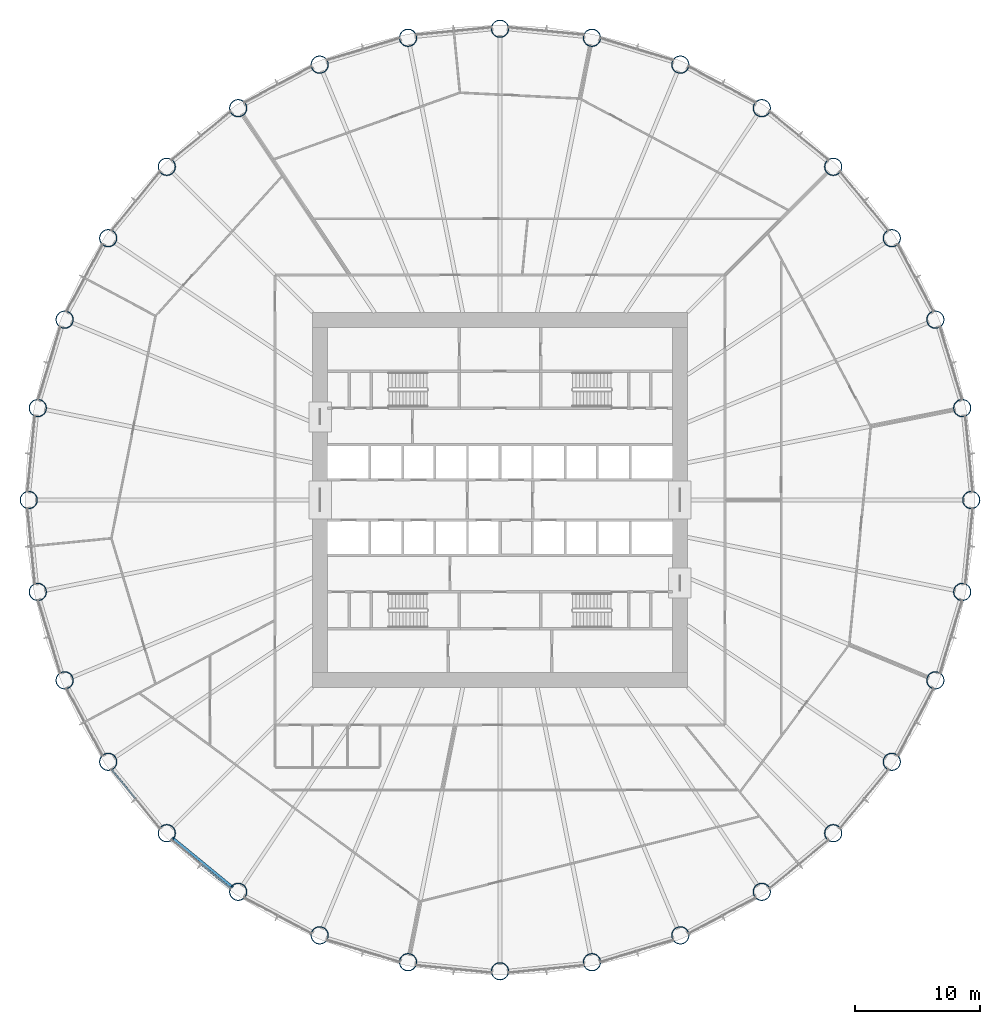
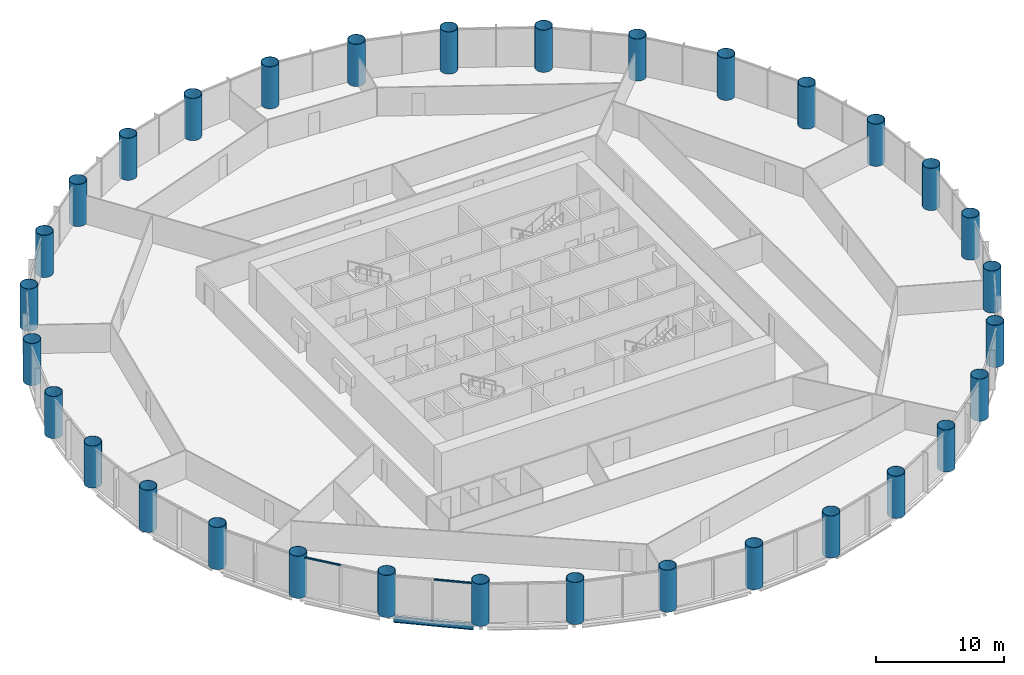
# One storey, part 1 of 15: 32 columns, 2 members, 1 beam, 2 elements without a shape of their own.
"""IFC4 building model written with IfcOpenShell, lengths in metres."""

from ifc_helpers import new_model, si_unit, direction, frame, origin, origin_2d, place, context, subcontext, project, spatial, rectangle, hollow_circle, i_section, extrude, material, material_profile, profile_set, type_object, element, aggregate, save


model = new_model("IFC4")

# Units and contexts
model_context = context("Model", 3, precision=1e-05, world=origin(), true_north=direction((0.0, 1.0)))
body_context = subcontext(model_context, "Body", "Model", "MODEL_VIEW")
ifc_project = project(units=[si_unit("LENGTHUNIT", "METRE"), si_unit("AREAUNIT", "SQUARE_METRE"), si_unit("VOLUMEUNIT", "CUBIC_METRE"), si_unit("PLANEANGLEUNIT", "RADIAN"), si_unit("MASSUNIT", "GRAM", prefix="KILO")], contexts=[model_context])

# Site, building, storey
site_placement = place(None, origin())
site = spatial("IfcSite", under=ifc_project, at=site_placement, CompositionType="ELEMENT")
building_placement = place(site_placement, origin())
building = spatial("IfcBuilding", under=site, at=building_placement, Name="Corvane Civic Tower", CompositionType="ELEMENT")
storey_placement = place(building_placement, frame((0.0, 0.0, 45.0)))
storey = spatial("IfcBuildingStorey", under=building, at=storey_placement, Name="L09", CompositionType="ELEMENT", Elevation=45.0)

# Columns
ifc_material_1 = material(Name="Steel ASTM A572 Gr 50", Category="steel")
ifc_material_profile_1 = material_profile(ifc_material_1, hollow_circle(Radius=0.699951171875, WallThickness=0.0400390625, at=origin_2d()), Name="CHS1400X40")
ifc_profile_set_1 = profile_set([ifc_material_profile_1], Name="Steel ASTM A572 Gr 50")
column_type = type_object("IfcColumnType", Name="COMPOSITE COLUMN CHS1400X40", PredefinedType="COLUMN", material=ifc_profile_set_1)
for number, where, z_axis, x_axis, name in (
    (1, (0.0, 37.699951171875, 0.0), (0.0, 0.0, 1.0), (1.0, 0.0, 0.0), "COL-L09-A01"),
    (2, (7.35498046875, 36.9755859375, 0.0), (0.0, 0.0, 1.0), (1.0, 0.0, 0.0), "COL-L09-A02"),
    (3, (14.42724609375, 34.830322265625, 0.0), (0.0, 0.0, 1.0), (1.0, 0.0, 0.0), "COL-L09-A03"),
    (4, (20.945068359375, 31.346435546875, 0.0), (0.0, 0.0, 1.0), (1.0, 0.0, 0.0), "COL-L09-A04"),
    (5, (26.657958984375, 26.657958984375, 0.0), (0.0, 0.0, 1.0), (1.0, 0.0, 0.0), "COL-L09-A05"),
    (6, (31.346435546875, 20.945068359375, 0.0), (0.0, 0.0, 1.0), (1.0, 0.0, 0.0), "COL-L09-A06"),
    (7, (34.830322265625, 14.42724609375, 0.0), (0.0, 0.0, 1.0), (1.0, 0.0, 0.0), "COL-L09-A07"),
    (8, (36.9755859375, 7.35498046875, 0.0), (0.0, 0.0, 1.0), (1.0, 0.0, 0.0), "COL-L09-A08"),
    (9, (37.699951171875, 0.0, 0.0), (0.0, 0.0, 1.0), (1.0, 0.0, 0.0), "COL-L09-A09"),
    (10, (36.9755859375, -7.35498046875, 0.0), (0.0, 0.0, 1.0), (1.0, 0.0, 0.0), "COL-L09-A10"),
    (11, (34.830322265625, -14.42724609375, 0.0), (0.0, 0.0, 1.0), (1.0, 0.0, 0.0), "COL-L09-A11"),
    (12, (31.346435546875, -20.945068359375, 0.0), (0.0, 0.0, 1.0), (1.0, 0.0, 0.0), "COL-L09-A12"),
    (13, (26.657958984375, -26.657958984375, 0.0), (0.0, 0.0, 1.0), (1.0, 0.0, 0.0), "COL-L09-A13"),
    (14, (20.945068359375, -31.346435546875, 0.0), (0.0, 0.0, 1.0), (1.0, 0.0, 0.0), "COL-L09-A14"),
    (15, (14.42724609375, -34.830322265625, 0.0), (0.0, 0.0, 1.0), (1.0, 0.0, 0.0), "COL-L09-A15"),
    (16, (7.35498046875, -36.9755859375, 0.0), (0.0, 0.0, 1.0), (1.0, 0.0, 0.0), "COL-L09-A16"),
    (17, (0.0, -37.699951171875, 0.0), (0.0, 0.0, 1.0), (1.0, 0.0, 0.0), "COL-L09-A17"),
    (18, (-7.35498046875, -36.9755859375, 0.0), (0.0, 0.0, 1.0), (1.0, 0.0, 0.0), "COL-L09-A18"),
    (19, (-14.42724609375, -34.830322265625, 0.0), (0.0, 0.0, 1.0), (1.0, 0.0, 0.0), "COL-L09-A19"),
    (20, (-20.945068359375, -31.346435546875, 0.0), (0.0, 0.0, 1.0), (1.0, 0.0, 0.0), "COL-L09-A20"),
    (21, (-26.657958984375, -26.657958984375, 0.0), (0.0, 0.0, 1.0), (1.0, 0.0, 0.0), "COL-L09-A21"),
    (22, (-31.346435546875, -20.945068359375, 0.0), (0.0, 0.0, 1.0), (1.0, 0.0, 0.0), "COL-L09-A22"),
    (23, (-34.830322265625, -14.42724609375, 0.0), (0.0, 0.0, 1.0), (1.0, 0.0, 0.0), "COL-L09-A23"),
    (24, (-36.9755859375, -7.35498046875, 0.0), (0.0, 0.0, 1.0), (1.0, 0.0, 0.0), "COL-L09-A24"),
    (25, (-37.699951171875, 0.0, 0.0), (0.0, 0.0, 1.0), (1.0, 0.0, 0.0), "COL-L09-A25"),
    (26, (-36.9755859375, 7.35498046875, 0.0), (0.0, 0.0, 1.0), (1.0, 0.0, 0.0), "COL-L09-A26"),
    (27, (-34.830322265625, 14.42724609375, 0.0), (0.0, 0.0, 1.0), (1.0, 0.0, 0.0), "COL-L09-A27"),
    (28, (-31.346435546875, 20.945068359375, 0.0), (0.0, 0.0, 1.0), (1.0, 0.0, 0.0), "COL-L09-A28"),
    (29, (-26.657958984375, 26.657958984375, 0.0), (0.0, 0.0, 1.0), (1.0, 0.0, 0.0), "COL-L09-A29"),
    (30, (-20.945068359375, 31.346435546875, 0.0), (0.0, 0.0, 1.0), (1.0, 0.0, 0.0), "COL-L09-A30"),
    (31, (-14.42724609375, 34.830322265625, 0.0), (0.0, 0.0, 1.0), (1.0, 0.0, 0.0), "COL-L09-A31"),
    (32, (-7.35498046875, 36.9755859375, 0.0), (0.0, 0.0, 1.0), (1.0, 0.0, 0.0), "COL-L09-A32"),
):
    element("IfcColumn", number, at=place(storey_placement, frame(where, z_axis=z_axis, x_axis=x_axis)), inside=storey, type_object=column_type, Name=name, PredefinedType="COLUMN", context=body_context, shape_type="SweptSolid", body=[
        extrude(hollow_circle(Radius=0.699951171875, WallThickness=0.0400390625, at=origin_2d()), origin(), (0.0, 0.0, 1.0), 4.0),
    ])

# Beam
ifc_material_2 = material(Name="Steel ASTM A992 Gr 50", Category="steel")
ifc_material_profile_2 = material_profile(ifc_material_2, i_section(OverallWidth=0.209228515625, OverallDepth=0.533447265625, WebThickness=0.01025390625, FlangeThickness=0.015625, at=origin_2d()), Name="W21X62")
ifc_profile_set_2 = profile_set([ifc_material_profile_2], Name="Steel ASTM A992 Gr 50")
beam_type = type_object("IfcBeamType", Name="EDGE BEAM W21X62", PredefinedType="BEAM", material=ifc_profile_set_2)
beam_placement = place(storey_placement, frame((-21.3701171875, -30.99755859375, -0.566650390625), z_axis=(-0.773015785286, 0.634386787141, 0.0), x_axis=(-0.634386787141, -0.773015785286, 0.0)))
element("IfcBeam", 33, at=beam_placement, inside=storey, type_object=beam_type, Name="BM-L09-E20", PredefinedType="BEAM", context=body_context, shape_type="SweptSolid", body=[
    extrude(i_section(OverallWidth=0.209228515625, OverallDepth=0.533447265625, WebThickness=0.01025390625, FlangeThickness=0.015625, at=origin_2d()), origin(), (0.0, 0.0, 1.0), 6.290771484375),
])

# Curtain wall, member
ifc_material_3 = material(Name="Anodised aluminium bronze", Category="aluminium")
curtain_wall_type = type_object("IfcCurtainWallType", Name="TOWER CW-T1 STICK CURTAIN WALL", PredefinedType="NOTDEFINED", material=ifc_material_3)
curtain_wall_1_placement = place(storey_placement, origin())
curtain_wall_1 = element("IfcCurtainWall", 34, at=curtain_wall_1_placement, inside=storey, type_object=curtain_wall_type, Name="Curtain wall CW-T1 L09 bay 20", PredefinedType="NOTDEFINED")
ifc_material_4 = material(Name="Anodised aluminium bronze", Category="aluminium")
ifc_material_profile_3 = material_profile(ifc_material_4, rectangle(XDim=0.139892578125, YDim=0.1201171875, at=origin_2d()), Name="TOWER CW-T1 TRANSOM 140x120")
ifc_profile_set_3 = profile_set([ifc_material_profile_3], Name="Anodised aluminium bronze")
member_type = type_object("IfcMemberType", Name="TOWER CW-T1 TRANSOM 140x120", PredefinedType="USERDEFINED", material=ifc_profile_set_3)
member_1_placement = place(storey_placement, frame((-21.55859375, -31.074462890625, 3.68994140625), z_axis=(-0.773041738279, 0.634355161466, 0.0), x_axis=(-0.634355161466, -0.773041738279, 0.0)))
member_1 = element("IfcMember", 35, at=member_1_placement, type_object=member_type, Name="Transom CW-T1 L09 20.1", ObjectType="TRANSOM", PredefinedType="USERDEFINED", context=body_context, shape_type="SweptSolid", body=[
    extrude(rectangle(XDim=0.139892578125, YDim=0.1201171875, at=origin_2d()), origin(), (0.0, 0.0, 1.0), 3.008544921875),
])
aggregate(curtain_wall_1, [member_1])

curtain_wall_2_placement = place(storey_placement, origin())
curtain_wall_2 = element("IfcCurtainWall", 36, at=curtain_wall_2_placement, inside=storey, type_object=curtain_wall_type, Name="Curtain wall CW-T1 L09 bay 21", PredefinedType="NOTDEFINED")
member_2_placement = place(storey_placement, frame((-29.166015625, -23.88427734375, 3.68994140625), z_axis=(-0.634355161466, 0.773041738279, 0.0), x_axis=(-0.773041738279, -0.634355161466, 0.0)))
member_2 = element("IfcMember", 37, at=member_2_placement, type_object=member_type, Name="Transom CW-T1 L09 21.2", ObjectType="TRANSOM", PredefinedType="USERDEFINED", context=body_context, shape_type="SweptSolid", body=[
    extrude(rectangle(XDim=0.139892578125, YDim=0.1201171875, at=origin_2d()), origin(), (0.0, 0.0, 1.0), 3.008544921875),
])
aggregate(curtain_wall_2, [member_2])

save(model, "model.ifc")
